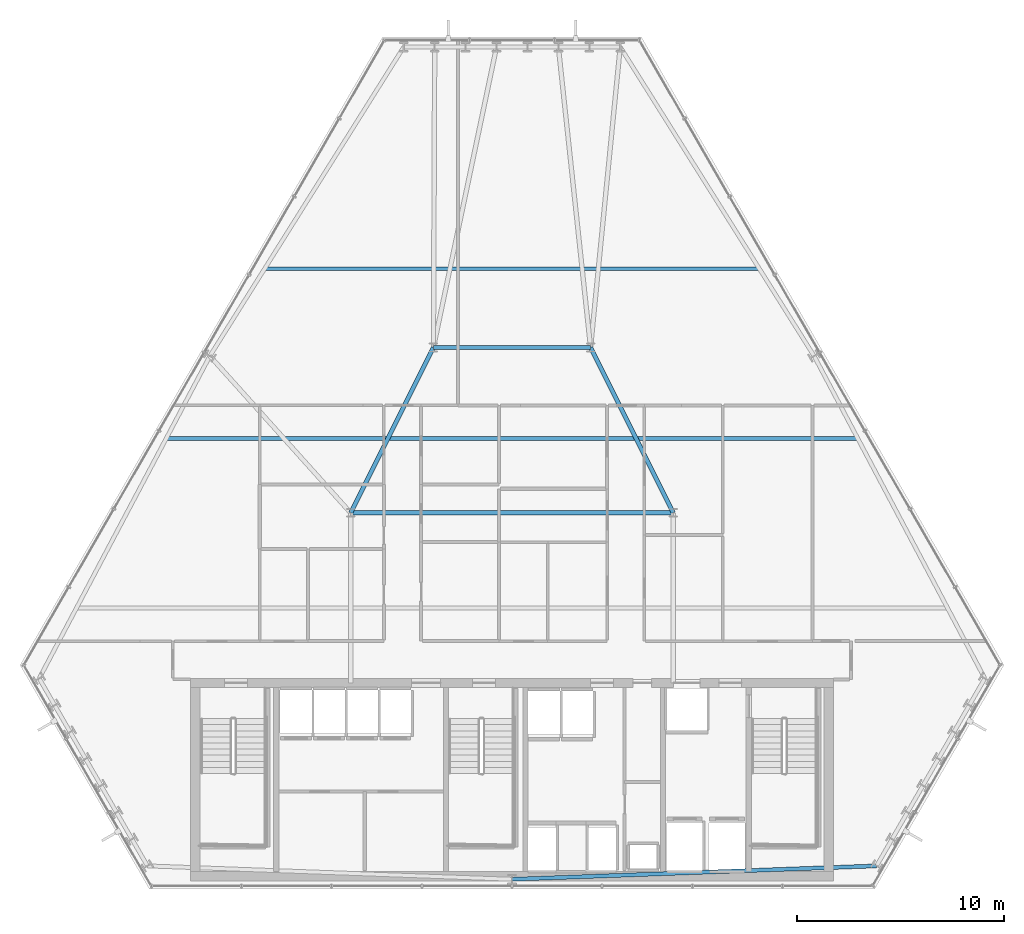
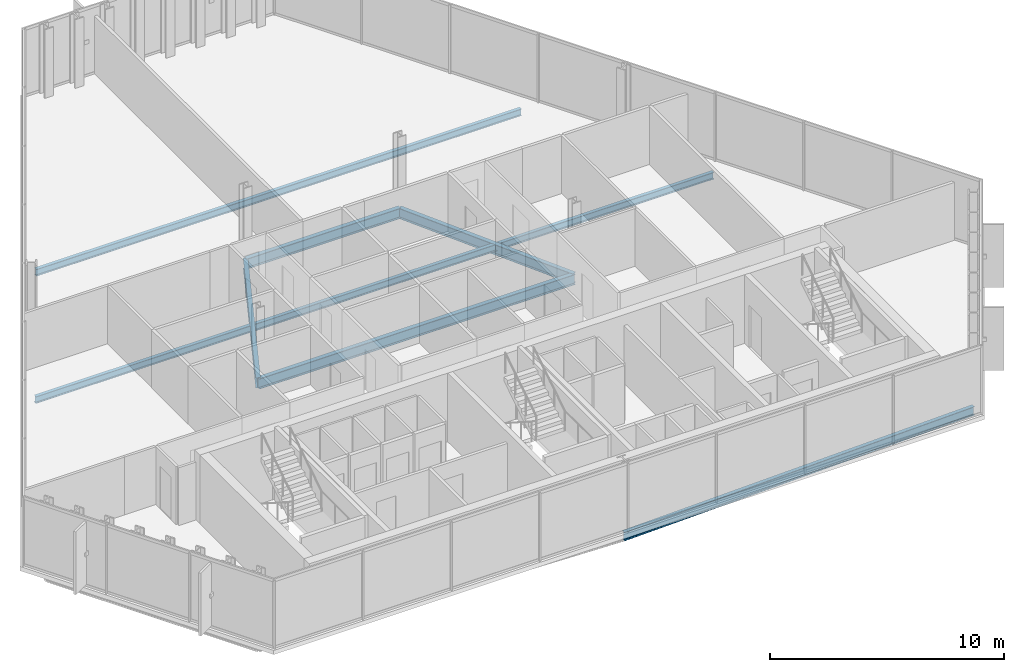
# One storey, part 14 of 32: 7 beams.
"""IFC4 building model written with IfcOpenShell, lengths in metres."""

from ifc_helpers import new_model, si_unit, direction, frame, origin, origin_2d, place, context, subcontext, project, spatial, i_section, extrude, material, material_profile, profile_set, type_object, element, save


model = new_model("IFC4")

# Units and contexts
model_context = context("Model", 3, precision=1e-05, world=origin(), true_north=direction((0.0, 1.0)))
body_context = subcontext(model_context, "Body", "Model", "MODEL_VIEW")
ifc_project = project(units=[si_unit("LENGTHUNIT", "METRE"), si_unit("AREAUNIT", "SQUARE_METRE"), si_unit("VOLUMEUNIT", "CUBIC_METRE"), si_unit("PLANEANGLEUNIT", "RADIAN"), si_unit("MASSUNIT", "GRAM", prefix="KILO")], contexts=[model_context])

# Site, building, storey
site_placement = place(None, origin())
site = spatial("IfcSite", under=ifc_project, at=site_placement, CompositionType="ELEMENT")
building_placement = place(site_placement, origin())
building = spatial("IfcBuilding", under=site, at=building_placement, Name="Ndaravel Arena Tower", CompositionType="ELEMENT")
storey_placement = place(building_placement, frame((0.0, 0.0, 130.800048828125)))
storey = spatial("IfcBuildingStorey", under=building, at=storey_placement, Name="L30", CompositionType="ELEMENT", Elevation=130.800048828125)

# Beams
ifc_material_1 = material(Name="Steel S355", Category="steel")
ifc_material_profile_1 = material_profile(ifc_material_1, i_section(OverallWidth=0.210693359375, OverallDepth=0.53955078125, WebThickness=0.01171875, FlangeThickness=0.018798828125, FilletRadius=0.0126953125, at=origin_2d()), Name="UB 533x210x109")
ifc_profile_set_1 = profile_set([ifc_material_profile_1], Name="Steel S355")
beam_type_1 = type_object("IfcBeamType", Name="BM-GIRD-UB533", PredefinedType="BEAM", material=ifc_profile_set_1)
beam_1_placement = place(storey_placement, frame((34.199951171875, 23.199951171875, -0.48974609375), z_axis=(1.0, 0.0, 0.0), x_axis=(0.0, 1.0, 0.0)))
element("IfcBeam", 1, at=beam_1_placement, inside=storey, type_object=beam_type_1, Name="L30 Spine Link Girder SLG-03", PredefinedType="BEAM", context=body_context, shape_type="SweptSolid", body=[
    extrude(i_section(OverallWidth=0.210693359375, OverallDepth=0.53955078125, WebThickness=0.01171875, FlangeThickness=0.018798828125, FilletRadius=0.0126953125, at=origin_2d()), origin(), (0.0, 0.0, 1.0), 15.60009765625),
])
for number, where, z_axis, x_axis, name in (
    (2, (34.199951171875, 23.199951171875, -0.48974609375), (0.4472135955, 0.894427191, 0.0), (-0.894427191, 0.4472135955, 0.0), "L30 Spine Link Girder SLG-04"),
    (3, (49.800048828125, 23.199951171875, -0.48974609375), (-0.4472135955, 0.894427191, 0.0), (-0.894427191, -0.4472135955, 0.0), "L30 Spine Link Girder SLG-05"),
):
    element("IfcBeam", number, at=place(storey_placement, frame(where, z_axis=z_axis, x_axis=x_axis)), inside=storey, type_object=beam_type_1, Name=name, PredefinedType="BEAM", context=body_context, shape_type="SweptSolid", body=[
        extrude(i_section(OverallWidth=0.210693359375, OverallDepth=0.53955078125, WebThickness=0.01171875, FlangeThickness=0.018798828125, FilletRadius=0.0126953125, at=origin_2d()), origin(), (0.0, 0.0, 1.0), 8.9443359375),
    ])
beam_2_placement = place(storey_placement, frame((38.199951171875, 31.199951171875, -0.48974609375), z_axis=(1.0, 0.0, 0.0), x_axis=(0.0, 1.0, 0.0)))
element("IfcBeam", 4, at=beam_2_placement, inside=storey, type_object=beam_type_1, Name="L30 Spine Link Girder SLG-06", PredefinedType="BEAM", context=body_context, shape_type="SweptSolid", body=[
    extrude(i_section(OverallWidth=0.210693359375, OverallDepth=0.53955078125, WebThickness=0.01171875, FlangeThickness=0.018798828125, FilletRadius=0.0126953125, at=origin_2d()), origin(), (0.0, 0.0, 1.0), 7.60009765625),
])
ifc_material_2 = material(Name="Steel S355", Category="steel")
ifc_material_profile_2 = material_profile(ifc_material_2, i_section(OverallWidth=0.172119140625, OverallDepth=0.35791015625, WebThickness=0.008056640625, FlangeThickness=0.012939453125, FilletRadius=0.01025390625, at=origin_2d()), Name="UB 356x171x57")
ifc_profile_set_2 = profile_set([ifc_material_profile_2], Name="Steel S355")
beam_type_2 = type_object("IfcBeamType", Name="BM-JOIST-UB356", PredefinedType="JOIST", material=ifc_profile_set_2)
beam_3_placement = place(storey_placement, frame((25.276611328125, 26.800048828125, -0.399169921875), z_axis=(1.0, 0.0, 0.0), x_axis=(0.0, 1.0, 0.0)))
element("IfcBeam", 5, at=beam_3_placement, inside=storey, type_object=beam_type_2, Name="L30 Composite Floor Joist FJ-02", PredefinedType="JOIST", context=body_context, shape_type="SweptSolid", body=[
    extrude(i_section(OverallWidth=0.172119140625, OverallDepth=0.35791015625, WebThickness=0.008056640625, FlangeThickness=0.012939453125, FilletRadius=0.01025390625, at=origin_2d()), origin(), (0.0, 0.0, 1.0), 33.44677734375),
])
beam_4_placement = place(storey_placement, frame((30.0302734375, 35.0, -0.399169921875), z_axis=(1.0, 0.0, 0.0), x_axis=(0.0, 1.0, 0.0)))
element("IfcBeam", 6, at=beam_4_placement, inside=storey, type_object=beam_type_2, Name="L30 Composite Floor Joist FJ-03", PredefinedType="JOIST", context=body_context, shape_type="SweptSolid", body=[
    extrude(i_section(OverallWidth=0.172119140625, OverallDepth=0.35791015625, WebThickness=0.008056640625, FlangeThickness=0.012939453125, FilletRadius=0.01025390625, at=origin_2d()), origin(), (0.0, 0.0, 1.0), 23.939453125),
])
ifc_material_3 = material(Name="Steel S355", Category="steel")
ifc_material_profile_3 = material_profile(ifc_material_3, i_section(OverallWidth=0.18994140625, OverallDepth=0.449951171875, WebThickness=0.009521484375, FlangeThickness=0.0146484375, FilletRadius=0.02099609375, at=origin_2d()), Name="IPE 450")
ifc_profile_set_3 = profile_set([ifc_material_profile_3], Name="Steel S355")
beam_type_3 = type_object("IfcBeamType", Name="BM-SPAN-IPE450", PredefinedType="SPANDREL", material=ifc_profile_set_3)
beam_5_placement = place(storey_placement, frame((42.0, 5.47998046875, -0.445068359375), z_axis=(0.999326102031, 0.036706154797, 0.0), x_axis=(-0.036706154797, 0.999326102031, 0.0)))
element("IfcBeam", 7, at=beam_5_placement, inside=storey, type_object=beam_type_3, Name="L30 Perimeter Spandrel Beam SP-01", PredefinedType="SPANDREL", context=body_context, shape_type="SweptSolid", body=[
    extrude(i_section(OverallWidth=0.18994140625, OverallDepth=0.449951171875, WebThickness=0.009521484375, FlangeThickness=0.0146484375, FilletRadius=0.02099609375, at=origin_2d()), origin(), (0.0, 0.0, 1.0), 17.645751953125),
])

save(model, "model.ifc")
